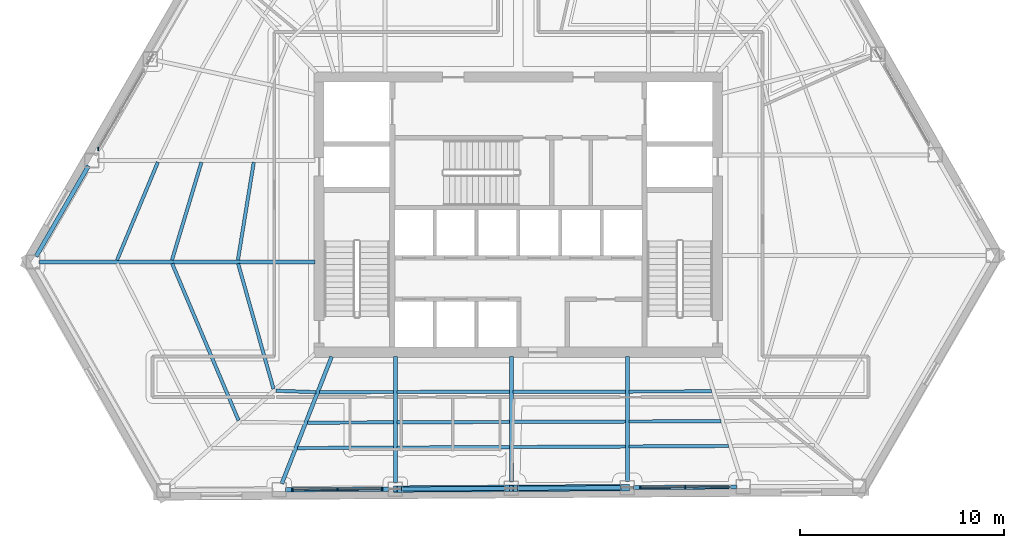
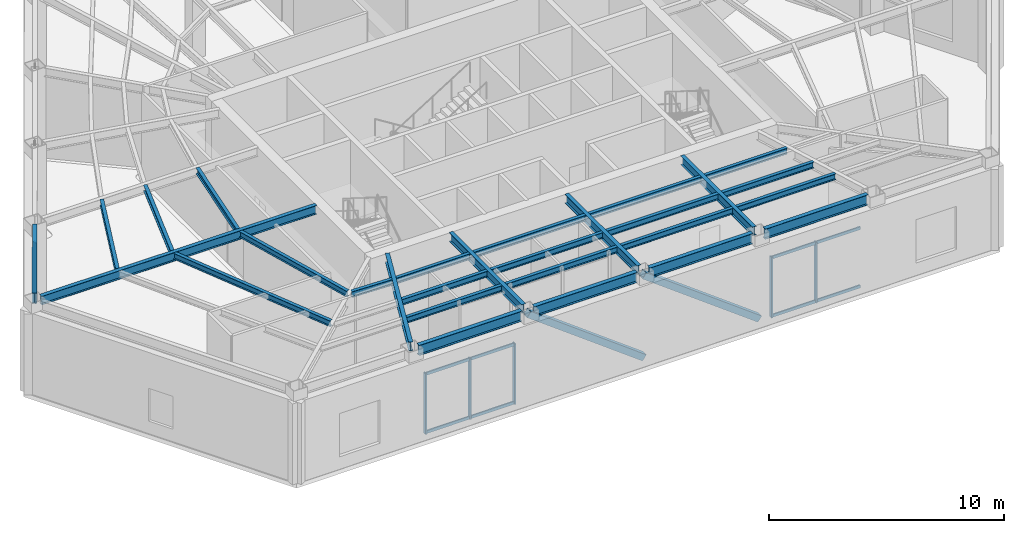
# One storey, part 2 of 14: 28 beams, 12 members, 3 elements without a shape of their own.
"""IFC4 building model written with IfcOpenShell, lengths in metres."""

from ifc_helpers import new_model, si_unit, direction, frame, origin, origin_2d, place, context, subcontext, project, spatial, rectangle, hollow_rectangle, i_section, extrude, material, layer, layer_set, material_profile, profile_set, type_object, element, aggregate, save


model = new_model("IFC4")

# Units and contexts
model_context = context("Model", 3, precision=1e-05, world=origin(), true_north=direction((0.0, 1.0)))
body_context = subcontext(model_context, "Body", "Model", "MODEL_VIEW")
ifc_project = project(units=[si_unit("LENGTHUNIT", "METRE"), si_unit("AREAUNIT", "SQUARE_METRE"), si_unit("VOLUMEUNIT", "CUBIC_METRE"), si_unit("PLANEANGLEUNIT", "RADIAN"), si_unit("MASSUNIT", "GRAM", prefix="KILO")], contexts=[model_context])

# Site, building, storey
site_placement = place(None, origin())
site = spatial("IfcSite", under=ifc_project, at=site_placement, CompositionType="ELEMENT")
building_placement = place(site_placement, origin())
building = spatial("IfcBuilding", under=site, at=building_placement, Name="Kavelnor Concourse Tower", CompositionType="ELEMENT")
storey_placement = place(building_placement, frame((0.0, 0.0, 80.5)))
storey = spatial("IfcBuildingStorey", under=building, at=storey_placement, Name="L20", CompositionType="ELEMENT", Elevation=80.5)

# Beams
ifc_material_1 = material(Name="Steel Grade 350", Category="steel")
ifc_material_profile_1 = material_profile(ifc_material_1, i_section(OverallWidth=0.166015625, OverallDepth=0.306884765625, WebThickness=0.006591796875, FlangeThickness=0.01171875, at=origin_2d()), Name="310UB46")
ifc_profile_set_1 = profile_set([ifc_material_profile_1], Name="Steel Grade 350")
beam_type_1 = type_object("IfcBeamType", Name="BM-JOIST-310", PredefinedType="JOIST", material=ifc_profile_set_1)
beam_1_placement = place(storey_placement, frame((24.25732421875, 13.700439453125, 4.596435546875), z_axis=(0.271979315613, -0.962303097718, 0.0), x_axis=(0.962303097718, 0.271979315613, 0.0)))
element("IfcBeam", 1, at=beam_1_placement, inside=storey, type_object=beam_type_1, Name="L20 Secondary Composite Joist 01-1", PredefinedType="JOIST", context=body_context, shape_type="SweptSolid", body=[
    extrude(i_section(OverallWidth=0.166015625, OverallDepth=0.306884765625, WebThickness=0.006591796875, FlangeThickness=0.01171875, at=origin_2d()), origin(), (0.0, 0.0, 1.0), 6.388427734375),
])
beam_2_placement = place(storey_placement, frame((21.02197265625, 13.7041015625, 4.596435546875), z_axis=(0.38972577703, -0.920930952199, 0.0), x_axis=(0.920930952199, 0.38972577703, 0.0)))
element("IfcBeam", 2, at=beam_2_placement, inside=storey, type_object=beam_type_1, Name="L20 Secondary Composite Joist 01-2", PredefinedType="JOIST", context=body_context, shape_type="SweptSolid", body=[
    extrude(i_section(OverallWidth=0.166015625, OverallDepth=0.306884765625, WebThickness=0.006591796875, FlangeThickness=0.01171875, at=origin_2d()), origin(), (0.0, 0.0, 1.0), 8.35546875),
])
beam_3_placement = place(storey_placement, frame((26.108154296875, 7.4638671875, 4.596435546875), z_axis=(0.999402598607, -0.034560756613, 0.0), x_axis=(0.034560756613, 0.999402598607, 0.0)))
element("IfcBeam", 3, at=beam_3_placement, inside=storey, type_object=beam_type_1, Name="L20 Secondary Composite Joist 02-1", PredefinedType="JOIST", context=body_context, shape_type="SweptSolid", body=[
    extrude(i_section(OverallWidth=0.166015625, OverallDepth=0.306884765625, WebThickness=0.006591796875, FlangeThickness=0.01171875, at=origin_2d()), origin(), (0.0, 0.0, 1.0), 1.9638671875),
])
beam_4_placement = place(storey_placement, frame((28.248779296875, 7.39306640625, 4.596435546875), z_axis=(0.999995421006, 0.003026213446, 0.0), x_axis=(-0.003026213446, 0.999995421006, 0.0)))
element("IfcBeam", 4, at=beam_4_placement, inside=storey, type_object=beam_type_1, Name="L20 Secondary Composite Joist 03-1", PredefinedType="JOIST", context=body_context, shape_type="SweptSolid", body=[
    extrude(i_section(OverallWidth=0.166015625, OverallDepth=0.306884765625, WebThickness=0.006591796875, FlangeThickness=0.01171875, at=origin_2d()), origin(), (0.0, 0.0, 1.0), 3.63037109375),
])
beam_5_placement = place(storey_placement, frame((27.66162109375, 5.89794921875, 4.596435546875), z_axis=(0.999990825311, 0.004283607587, 0.0), x_axis=(-0.004283607587, 0.999990825311, 0.0)))
element("IfcBeam", 5, at=beam_5_placement, inside=storey, type_object=beam_type_1, Name="L20 Secondary Composite Joist 03-2", PredefinedType="JOIST", context=body_context, shape_type="SweptSolid", body=[
    extrude(i_section(OverallWidth=0.166015625, OverallDepth=0.306884765625, WebThickness=0.006591796875, FlangeThickness=0.01171875, at=origin_2d()), origin(), (0.0, 0.0, 1.0), 4.217529296875),
])
beam_6_placement = place(storey_placement, frame((27.172119140625, 4.652099609375, 4.596435546875), z_axis=(0.999987081869, 0.005082921889, 0.0), x_axis=(-0.005082921889, 0.999987081869, 0.0)))
element("IfcBeam", 6, at=beam_6_placement, inside=storey, type_object=beam_type_1, Name="L20 Secondary Composite Joist 03-3", PredefinedType="JOIST", context=body_context, shape_type="SweptSolid", body=[
    extrude(i_section(OverallWidth=0.166015625, OverallDepth=0.306884765625, WebThickness=0.006591796875, FlangeThickness=0.01171875, at=origin_2d()), origin(), (0.0, 0.0, 1.0), 4.70703125),
])
for number, where, z_axis, x_axis, name in (
    (7, (32.05712890625, 7.404296875, 4.596435546875), (0.999998350478, 0.001816326247, 0.0), (-0.001816326247, 0.999998350478, 0.0), "L20 Secondary Composite Joist 04-1"),
    (8, (32.05712890625, 5.916748046875, 4.596435546875), (0.999994332195, 0.003366835124, 0.0), (-0.003366835124, 0.999994332195, 0.0), "L20 Secondary Composite Joist 04-2"),
    (9, (32.05712890625, 4.677001953125, 4.596435546875), (0.999989386681, 0.004607225279, 0.0), (-0.004607225279, 0.999989386681, 0.0), "L20 Secondary Composite Joist 04-3"),
):
    element("IfcBeam", number, at=place(storey_placement, frame(where, z_axis=z_axis, x_axis=x_axis)), inside=storey, type_object=beam_type_1, Name=name, PredefinedType="JOIST", context=body_context, shape_type="SweptSolid", body=[
        extrude(i_section(OverallWidth=0.166015625, OverallDepth=0.306884765625, WebThickness=0.006591796875, FlangeThickness=0.01171875, at=origin_2d()), origin(), (0.0, 0.0, 1.0), 5.510986328125),
    ])
for number, where, z_axis, x_axis, name in (
    (10, (37.74609375, 7.41455078125, 4.596435546875), (0.999998350332, 0.001816406715, 0.0), (-0.001816406715, 0.999998350332, 0.0), "L20 Secondary Composite Joist 05-1"),
    (11, (37.74609375, 5.935791015625, 4.596435546875), (0.999994479876, 0.003322682349, 0.0), (-0.003322682349, 0.999994479876, 0.0), "L20 Secondary Composite Joist 05-2"),
    (12, (37.74609375, 4.703369140625, 4.596435546875), (0.999989385741, 0.004607429387, 0.0), (-0.004607429387, 0.999989385741, 0.0), "L20 Secondary Composite Joist 05-3"),
):
    element("IfcBeam", number, at=place(storey_placement, frame(where, z_axis=z_axis, x_axis=x_axis)), inside=storey, type_object=beam_type_1, Name=name, PredefinedType="JOIST", context=body_context, shape_type="SweptSolid", body=[
        extrude(i_section(OverallWidth=0.166015625, OverallDepth=0.306884765625, WebThickness=0.006591796875, FlangeThickness=0.01171875, at=origin_2d()), origin(), (0.0, 0.0, 1.0), 5.5107421875),
    ])
beam_7_placement = place(storey_placement, frame((43.434814453125, 7.4248046875, 4.596435546875), z_axis=(0.99999751448, 0.002229581683, 0.0), x_axis=(-0.002229581683, 0.99999751448, 0.0)))
element("IfcBeam", 13, at=beam_7_placement, inside=storey, type_object=beam_type_1, Name="L20 Secondary Composite Joist 06-1", PredefinedType="JOIST", context=body_context, shape_type="SweptSolid", body=[
    extrude(i_section(OverallWidth=0.166015625, OverallDepth=0.306884765625, WebThickness=0.006591796875, FlangeThickness=0.01171875, at=origin_2d()), origin(), (0.0, 0.0, 1.0), 4.051513671875),
])
beam_8_placement = place(storey_placement, frame((43.434814453125, 5.954833984375, 4.596435546875), z_axis=(0.999991746774, 0.004062805038, 0.0), x_axis=(-0.004062805038, 0.999991746774, 0.0)))
element("IfcBeam", 14, at=beam_8_placement, inside=storey, type_object=beam_type_1, Name="L20 Secondary Composite Joist 06-2", PredefinedType="JOIST", context=body_context, shape_type="SweptSolid", body=[
    extrude(i_section(OverallWidth=0.166015625, OverallDepth=0.306884765625, WebThickness=0.006591796875, FlangeThickness=0.01171875, at=origin_2d()), origin(), (0.0, 0.0, 1.0), 4.5068359375),
])
beam_9_placement = place(storey_placement, frame((43.434814453125, 4.729736328125, 4.596435546875), z_axis=(0.999985707643, 0.005346448344, 0.0), x_axis=(-0.005346448344, 0.999985707643, 0.0)))
element("IfcBeam", 15, at=beam_9_placement, inside=storey, type_object=beam_type_1, Name="L20 Secondary Composite Joist 06-3", PredefinedType="JOIST", context=body_context, shape_type="SweptSolid", body=[
    extrude(i_section(OverallWidth=0.166015625, OverallDepth=0.306884765625, WebThickness=0.006591796875, FlangeThickness=0.01171875, at=origin_2d()), origin(), (0.0, 0.0, 1.0), 4.885986328125),
])
beam_10_placement = place(storey_placement, frame((25.0244140625, 18.6708984375, 4.596435546875), z_axis=(-0.159908427278, -0.987131852837, 0.0), x_axis=(0.987131852837, -0.159908427278, 0.0)))
element("IfcBeam", 16, at=beam_10_placement, inside=storey, type_object=beam_type_1, Name="L20 Secondary Composite Joist 21-1", PredefinedType="JOIST", context=body_context, shape_type="SweptSolid", body=[
    extrude(i_section(OverallWidth=0.166015625, OverallDepth=0.306884765625, WebThickness=0.006591796875, FlangeThickness=0.01171875, at=origin_2d()), origin(), (0.0, 0.0, 1.0), 4.859619140625),
])
beam_11_placement = place(storey_placement, frame((22.457763671875, 18.673583984375, 4.596435546875), z_axis=(-0.288093643632, -0.957602241277, 0.0), x_axis=(0.957602241277, -0.288093643632, 0.0)))
element("IfcBeam", 17, at=beam_11_placement, inside=storey, type_object=beam_type_1, Name="L20 Secondary Composite Joist 21-2", PredefinedType="JOIST", context=body_context, shape_type="SweptSolid", body=[
    extrude(i_section(OverallWidth=0.166015625, OverallDepth=0.306884765625, WebThickness=0.006591796875, FlangeThickness=0.01171875, at=origin_2d()), origin(), (0.0, 0.0, 1.0), 5.01513671875),
])
beam_12_placement = place(storey_placement, frame((20.319580078125, 18.676513671875, 4.596435546875), z_axis=(-0.38452552457, -0.92311435963, 0.0), x_axis=(0.92311435963, -0.38452552457, 0.0)))
element("IfcBeam", 18, at=beam_12_placement, inside=storey, type_object=beam_type_1, Name="L20 Secondary Composite Joist 21-3", PredefinedType="JOIST", context=body_context, shape_type="SweptSolid", body=[
    extrude(i_section(OverallWidth=0.166015625, OverallDepth=0.306884765625, WebThickness=0.006591796875, FlangeThickness=0.01171875, at=origin_2d()), origin(), (0.0, 0.0, 1.0), 5.208740234375),
])
ifc_material_profile_2 = material_profile(ifc_material_1, i_section(OverallWidth=0.18994140625, OverallDepth=0.4541015625, WebThickness=0.008544921875, FlangeThickness=0.0126953125, at=origin_2d()), Name="460UB67")
ifc_profile_set_2 = profile_set([ifc_material_profile_2], Name="Steel Grade 350")
beam_type_2 = type_object("IfcBeamType", Name="BM-PRIMARY-460", PredefinedType="BEAM", material=ifc_profile_set_2)
beam_13_placement = place(storey_placement, frame((28.02001953125, 13.785888671875, 4.52294921875), z_axis=(-1.0, 0.0, 0.0), x_axis=(0.0, -1.0, 0.0)))
element("IfcBeam", 19, at=beam_13_placement, inside=storey, type_object=beam_type_2, Name="L20 Primary Floor Girder F0-B6", PredefinedType="BEAM", context=body_context, shape_type="SweptSolid", body=[
    extrude(i_section(OverallWidth=0.18994140625, OverallDepth=0.4541015625, WebThickness=0.008544921875, FlangeThickness=0.0126953125, at=origin_2d()), origin(), (0.0, 0.0, 1.0), 13.5244140625),
])
beam_14_placement = place(storey_placement, frame((28.8447265625, 9.13720703125, 4.52294921875), z_axis=(-0.365547420272, -0.930792717812, 0.0), x_axis=(0.930792717812, -0.365547420272, 0.0)))
element("IfcBeam", 20, at=beam_14_placement, inside=storey, type_object=beam_type_2, Name="L20 Primary Floor Girder F1-B1", PredefinedType="BEAM", context=body_context, shape_type="SweptSolid", body=[
    extrude(i_section(OverallWidth=0.18994140625, OverallDepth=0.4541015625, WebThickness=0.008544921875, FlangeThickness=0.0126953125, at=origin_2d()), origin(), (0.0, 0.0, 1.0), 6.693359375),
])
beam_15_placement = place(storey_placement, frame((31.968017578125, 9.139892578125, 4.52294921875), z_axis=(0.0, -1.0, 0.0), x_axis=(1.0, 0.0, 0.0)))
element("IfcBeam", 21, at=beam_15_placement, inside=storey, type_object=beam_type_2, Name="L20 Primary Floor Girder F1-B2", PredefinedType="BEAM", context=body_context, shape_type="SweptSolid", body=[
    extrude(i_section(OverallWidth=0.18994140625, OverallDepth=0.4541015625, WebThickness=0.008544921875, FlangeThickness=0.0126953125, at=origin_2d()), origin(), (0.0, 0.0, 1.0), 6.198974609375),
])
beam_16_placement = place(storey_placement, frame((37.656982421875, 9.139892578125, 4.52294921875), z_axis=(0.0, -1.0, 0.0), x_axis=(1.0, 0.0, 0.0)))
element("IfcBeam", 22, at=beam_16_placement, inside=storey, type_object=beam_type_2, Name="L20 Primary Floor Girder F1-B3", PredefinedType="BEAM", context=body_context, shape_type="SweptSolid", body=[
    extrude(i_section(OverallWidth=0.18994140625, OverallDepth=0.4541015625, WebThickness=0.008544921875, FlangeThickness=0.0126953125, at=origin_2d()), origin(), (0.0, 0.0, 1.0), 6.16259765625),
])
beam_17_placement = place(storey_placement, frame((43.345947265625, 9.139892578125, 4.52294921875), z_axis=(0.0, -1.0, 0.0), x_axis=(1.0, 0.0, 0.0)))
element("IfcBeam", 23, at=beam_17_placement, inside=storey, type_object=beam_type_2, Name="L20 Primary Floor Girder F1-B4", PredefinedType="BEAM", context=body_context, shape_type="SweptSolid", body=[
    extrude(i_section(OverallWidth=0.18994140625, OverallDepth=0.4541015625, WebThickness=0.008544921875, FlangeThickness=0.0126953125, at=origin_2d()), origin(), (0.0, 0.0, 1.0), 6.1259765625),
])
ifc_material_profile_3 = material_profile(ifc_material_1, i_section(OverallWidth=0.208984375, OverallDepth=0.532958984375, WebThickness=0.01025390625, FlangeThickness=0.015625, at=origin_2d()), Name="530UB92")
ifc_profile_set_3 = profile_set([ifc_material_profile_3], Name="Steel Grade 350")
beam_type_3 = type_object("IfcBeamType", Name="BM-SPANDREL-Z2", PredefinedType="SPANDREL", material=ifc_profile_set_3)
beam_18_placement = place(storey_placement, frame((16.919921875, 18.494873046875, 4.4833984375), z_axis=(-0.500775744942, -0.865577063743, 0.0), x_axis=(0.865577063743, -0.500775744942, 0.0)))
element("IfcBeam", 24, at=beam_18_placement, inside=storey, type_object=beam_type_3, Name="L20 Perimeter Tube Spandrel Beam F0-B5", PredefinedType="SPANDREL", context=body_context, shape_type="SweptSolid", body=[
    extrude(i_section(OverallWidth=0.208984375, OverallDepth=0.532958984375, WebThickness=0.01025390625, FlangeThickness=0.015625, at=origin_2d()), origin(), (0.0, 0.0, 1.0), 5.135009765625),
])
beam_19_placement = place(storey_placement, frame((26.583984375, 2.606201171875, 4.4833984375), z_axis=(0.99997925696, 0.006440935418, 0.0), x_axis=(-0.006440935418, 0.99997925696, 0.0)))
element("IfcBeam", 25, at=beam_19_placement, inside=storey, type_object=beam_type_3, Name="L20 Perimeter Tube Spandrel Beam F1-B1", PredefinedType="SPANDREL", context=body_context, shape_type="SweptSolid", body=[
    extrude(i_section(OverallWidth=0.208984375, OverallDepth=0.532958984375, WebThickness=0.01025390625, FlangeThickness=0.015625, at=origin_2d()), origin(), (0.0, 0.0, 1.0), 5.0791015625),
])
beam_20_placement = place(storey_placement, frame((32.273193359375, 2.642822265625, 4.4833984375), z_axis=(0.999979563429, 0.006393178, 0.0), x_axis=(-0.006393178, 0.999979563429, 0.0)))
element("IfcBeam", 26, at=beam_20_placement, inside=storey, type_object=beam_type_3, Name="L20 Perimeter Tube Spandrel Beam F1-B2", PredefinedType="SPANDREL", context=body_context, shape_type="SweptSolid", body=[
    extrude(i_section(OverallWidth=0.208984375, OverallDepth=0.532958984375, WebThickness=0.01025390625, FlangeThickness=0.015625, at=origin_2d()), origin(), (0.0, 0.0, 1.0), 5.078857421875),
])
for number, where, z_axis, x_axis, name in (
    (27, (37.9619140625, 2.679443359375, 4.4833984375), (0.999979565393, 0.006392870707, 0.0), (-0.006392870707, 0.999979565393, 0.0), "L20 Perimeter Tube Spandrel Beam F1-B3"),
    (28, (43.65087890625, 2.7158203125, 4.4833984375), (0.999979565393, 0.006392870707, 0.0), (-0.006392870707, 0.999979565393, 0.0), "L20 Perimeter Tube Spandrel Beam F1-B4"),
):
    element("IfcBeam", number, at=place(storey_placement, frame(where, z_axis=z_axis, x_axis=x_axis)), inside=storey, type_object=beam_type_3, Name=name, PredefinedType="SPANDREL", context=body_context, shape_type="SweptSolid", body=[
        extrude(i_section(OverallWidth=0.208984375, OverallDepth=0.532958984375, WebThickness=0.01025390625, FlangeThickness=0.015625, at=origin_2d()), origin(), (0.0, 0.0, 1.0), 5.0791015625),
    ])

# Curtain wall, member
ifc_material_2 = material(Name="Anodised aluminium 6063-T6", Category="aluminium")
ifc_layer = layer(ifc_material_2, 0.18505859375, Name="Anodised aluminium 6063-T6")
ifc_layer_set = layer_set([ifc_layer], Name="Anodised aluminium 6063-T6")
curtain_wall_type = type_object("IfcCurtainWallType", Name="CW-SKYLOBBY-L20", PredefinedType="NOTDEFINED", material=ifc_layer_set)
curtain_wall_1_placement = place(storey_placement, origin())
curtain_wall_1 = element("IfcCurtainWall", 29, at=curtain_wall_1_placement, inside=storey, type_object=curtain_wall_type, Name="L20 Feature Curtain Wall F0-B4", PredefinedType="NOTDEFINED")
ifc_material_profile_4 = material_profile(ifc_material_2, rectangle(XDim=0.06494140625, YDim=0.18505859375, at=origin_2d()), Name="AL-MULL 65x185")
ifc_profile_set_4 = profile_set([ifc_material_profile_4], Name="Anodised aluminium 6063-T6")
member_type_1 = type_object("IfcMemberType", Name="CW-SKYLOBBY-L20-MULL", PredefinedType="MULLION", material=ifc_profile_set_4)
member_1_placement = place(storey_placement, frame((17.398193359375, 19.3212890625, 0.0), z_axis=(0.0, 0.0, 1.0), x_axis=(1.0, 0.0, 0.0)))
member_1 = element("IfcMember", 30, at=member_1_placement, type_object=member_type_1, Name="L20 Feature Curtain Wall F0-B4 Mullion 2", PredefinedType="MULLION", context=body_context, shape_type="SweptSolid", body=[
    extrude(rectangle(XDim=0.06494140625, YDim=0.18505859375, at=origin_2d()), origin(), (0.0, 0.0, 1.0), 3.14990234375),
])
aggregate(curtain_wall_1, [member_1])

# Curtain wall, members
curtain_wall_2_placement = place(storey_placement, origin())
curtain_wall_2 = element("IfcCurtainWall", 31, at=curtain_wall_2_placement, inside=storey, type_object=curtain_wall_type, Name="L20 Feature Curtain Wall F1-B1", PredefinedType="NOTDEFINED")
member_2_placement = place(storey_placement, frame((26.92919921875, 2.6083984375, 0.0), z_axis=(0.0, 0.0, 1.0), x_axis=(1.0, 0.0, 0.0)))
member_2 = element("IfcMember", 32, at=member_2_placement, type_object=member_type_1, Name="L20 Feature Curtain Wall F1-B1 Mullion 0", PredefinedType="MULLION", context=body_context, shape_type="SweptSolid", body=[
    extrude(rectangle(XDim=0.06494140625, YDim=0.18505859375, at=origin_2d()), origin(), (0.0, 0.0, 1.0), 3.14990234375),
])
member_3_placement = place(storey_placement, frame((29.12353515625, 2.62255859375, 0.0), z_axis=(0.0, 0.0, 1.0), x_axis=(1.0, 0.0, 0.0)))
member_3 = element("IfcMember", 33, at=member_3_placement, type_object=member_type_1, Name="L20 Feature Curtain Wall F1-B1 Mullion 1", PredefinedType="MULLION", context=body_context, shape_type="SweptSolid", body=[
    extrude(rectangle(XDim=0.06494140625, YDim=0.18505859375, at=origin_2d()), origin(), (0.0, 0.0, 1.0), 3.14990234375),
])
member_4_placement = place(storey_placement, frame((31.318115234375, 2.63671875, 0.0), z_axis=(0.0, 0.0, 1.0), x_axis=(1.0, 0.0, 0.0)))
member_4 = element("IfcMember", 34, at=member_4_placement, type_object=member_type_1, Name="L20 Feature Curtain Wall F1-B1 Mullion 2", PredefinedType="MULLION", context=body_context, shape_type="SweptSolid", body=[
    extrude(rectangle(XDim=0.06494140625, YDim=0.18505859375, at=origin_2d()), origin(), (0.0, 0.0, 1.0), 3.14990234375),
])

curtain_wall_3_placement = place(storey_placement, origin())
curtain_wall_3 = element("IfcCurtainWall", 35, at=curtain_wall_3_placement, inside=storey, type_object=curtain_wall_type, Name="L20 Feature Curtain Wall F1-B4", PredefinedType="NOTDEFINED")
member_5_placement = place(storey_placement, frame((43.995849609375, 2.718017578125, 0.0), z_axis=(0.0, 0.0, 1.0), x_axis=(1.0, 0.0, 0.0)))
member_5 = element("IfcMember", 36, at=member_5_placement, type_object=member_type_1, Name="L20 Feature Curtain Wall F1-B4 Mullion 0", PredefinedType="MULLION", context=body_context, shape_type="SweptSolid", body=[
    extrude(rectangle(XDim=0.06494140625, YDim=0.18505859375, at=origin_2d()), origin(), (0.0, 0.0, 1.0), 3.14990234375),
])
member_6_placement = place(storey_placement, frame((46.1904296875, 2.732177734375, 0.0), z_axis=(0.0, 0.0, 1.0), x_axis=(1.0, 0.0, 0.0)))
member_6 = element("IfcMember", 37, at=member_6_placement, type_object=member_type_1, Name="L20 Feature Curtain Wall F1-B4 Mullion 1", PredefinedType="MULLION", context=body_context, shape_type="SweptSolid", body=[
    extrude(rectangle(XDim=0.06494140625, YDim=0.18505859375, at=origin_2d()), origin(), (0.0, 0.0, 1.0), 3.14990234375),
])

# Member
ifc_material_profile_5 = material_profile(ifc_material_2, rectangle(XDim=0.06494140625, YDim=0.14990234375, at=origin_2d()), Name="AL-TRAN 65x150")
ifc_profile_set_5 = profile_set([ifc_material_profile_5], Name="Anodised aluminium 6063-T6")
member_type_2 = type_object("IfcMemberType", Name="CW-SKYLOBBY-L20-TRAN", PredefinedType="USERDEFINED", material=ifc_profile_set_5)
member_7_placement = place(storey_placement, frame((26.92919921875, 2.6083984375, 0.06005859375), z_axis=(0.999979182049, 0.006452555216, 0.0), x_axis=(-0.006452555216, 0.999979182049, 0.0)))
member_7 = element("IfcMember", 38, at=member_7_placement, type_object=member_type_2, Name="L20 Feature Curtain Wall F1-B1 Transom 0-BOT", ObjectType="TRANSOM", PredefinedType="USERDEFINED", context=body_context, shape_type="SweptSolid", body=[
    extrude(rectangle(XDim=0.06494140625, YDim=0.14990234375, at=origin_2d()), origin(), (0.0, 0.0, 1.0), 4.388916015625),
])

member_8_placement = place(storey_placement, frame((26.92919921875, 2.6083984375, 3.090087890625), z_axis=(0.999979182049, 0.006452555216, 0.0), x_axis=(-0.006452555216, 0.999979182049, 0.0)))
member_8 = element("IfcMember", 39, at=member_8_placement, type_object=member_type_2, Name="L20 Feature Curtain Wall F1-B1 Transom 0-TOP", ObjectType="TRANSOM", PredefinedType="USERDEFINED", context=body_context, shape_type="SweptSolid", body=[
    extrude(rectangle(XDim=0.06494140625, YDim=0.14990234375, at=origin_2d()), origin(), (0.0, 0.0, 1.0), 4.388916015625),
])

aggregate(curtain_wall_2, [member_2, member_3, member_4, member_7, member_8])

member_9_placement = place(storey_placement, frame((43.995849609375, 2.718017578125, 0.06005859375), z_axis=(0.999979541697, 0.006396576221, 0.0), x_axis=(-0.006396576221, 0.999979541697, 0.0)))
member_9 = element("IfcMember", 40, at=member_9_placement, type_object=member_type_2, Name="L20 Feature Curtain Wall F1-B4 Transom 0-BOT", ObjectType="TRANSOM", PredefinedType="USERDEFINED", context=body_context, shape_type="SweptSolid", body=[
    extrude(rectangle(XDim=0.06494140625, YDim=0.14990234375, at=origin_2d()), origin(), (0.0, 0.0, 1.0), 4.38916015625),
])

member_10_placement = place(storey_placement, frame((43.995849609375, 2.718017578125, 3.090087890625), z_axis=(0.999979541697, 0.006396576221, 0.0), x_axis=(-0.006396576221, 0.999979541697, 0.0)))
member_10 = element("IfcMember", 41, at=member_10_placement, type_object=member_type_2, Name="L20 Feature Curtain Wall F1-B4 Transom 0-TOP", ObjectType="TRANSOM", PredefinedType="USERDEFINED", context=body_context, shape_type="SweptSolid", body=[
    extrude(rectangle(XDim=0.06494140625, YDim=0.14990234375, at=origin_2d()), origin(), (0.0, 0.0, 1.0), 4.38916015625),
])

aggregate(curtain_wall_3, [member_5, member_6, member_9, member_10])

# Members
ifc_material_profile_6 = material_profile(ifc_material_1, hollow_rectangle(XDim=0.320068359375, YDim=0.320068359375, WallThickness=0.01806640625, at=origin_2d()), Name="SHS 320x320x18")
ifc_profile_set_6 = profile_set([ifc_material_profile_6], Name="Steel Grade 350")
member_type_3 = type_object("IfcMemberType", Name="MBR-TUBE-DIAG-Z2", PredefinedType="BRACE", material=ifc_profile_set_6)
for number, where, z_axis, x_axis, name in (
    (42, (37.656982421875, 2.677490234375, 0.219970703125), (-0.800211860315, -0.005151136342, 0.599695292966), (0.006437082322, -0.999979281771, 0.0), "L20 Framed-Tube Bracing Diagonal F1-B2"),
    (43, (43.345947265625, 2.7138671875, 0.219970703125), (-0.800212001397, -0.005116796335, 0.599695398695), (0.0063941702, -0.999979557085, 0.0), "L20 Framed-Tube Bracing Diagonal F1-B3"),
):
    element("IfcMember", number, at=place(storey_placement, frame(where, z_axis=z_axis, x_axis=x_axis)), inside=storey, type_object=member_type_3, Name=name, PredefinedType="BRACE", context=body_context, shape_type="SweptSolid", body=[
        extrude(hollow_rectangle(XDim=0.320068359375, YDim=0.320068359375, WallThickness=0.01806640625, at=origin_2d()), origin(), (0.0, 0.0, 1.0), 7.109375),
    ])

save(model, "model.ifc")
